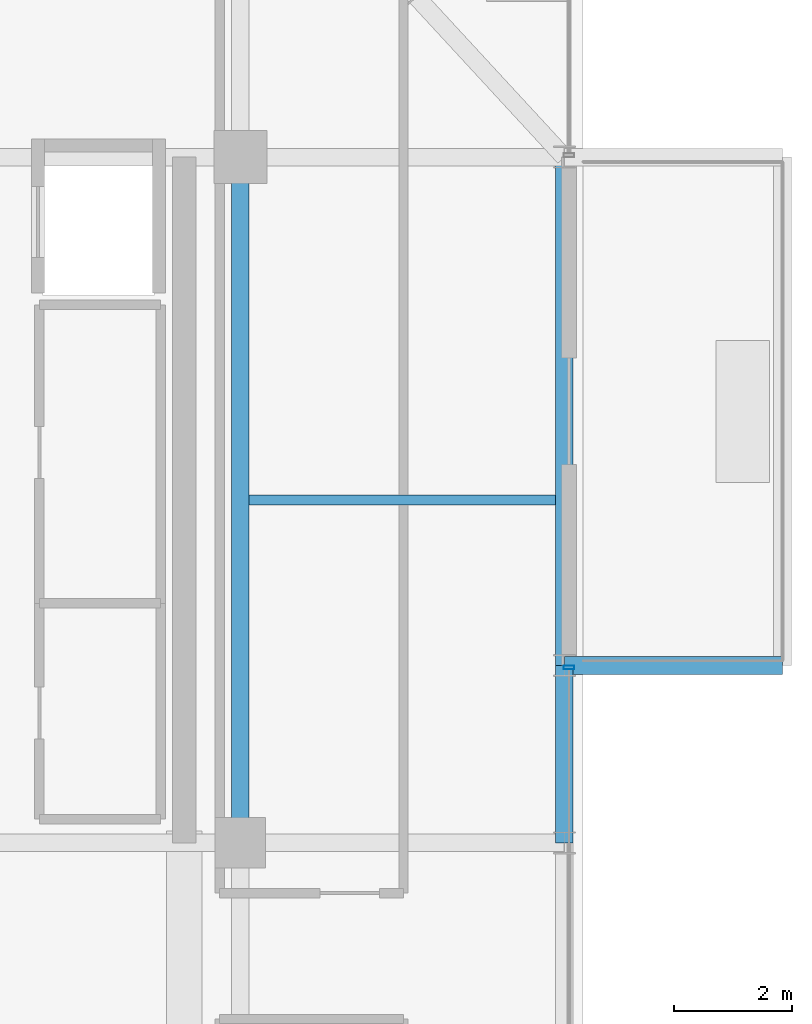
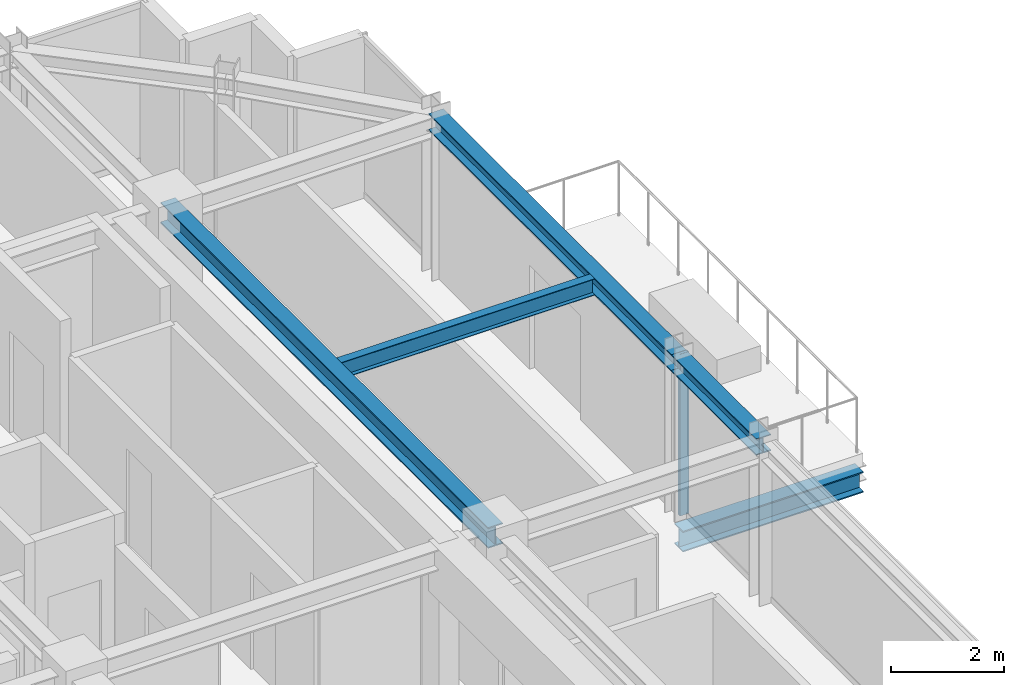
# One storey, part 22 of 33: 5 beams, 1 member, 1 element without a shape of its own.
"""IFC4 building model written with IfcOpenShell, lengths in metres."""

from ifc_helpers import new_model, si_unit, direction, frame, origin, origin_2d, place, context, subcontext, project, spatial, hollow_rectangle, i_section, extrude, source, transform, mapped, material, material_profile, profile_set, type_object, element, aggregate, save


model = new_model("IFC4")

# Units and contexts
model_context = context("Model", 3, precision=1e-05, world=origin(), true_north=direction((0.0, 1.0)))
body_context = subcontext(model_context, "Body", "Model", "MODEL_VIEW")
ifc_project = project(units=[si_unit("LENGTHUNIT", "METRE"), si_unit("AREAUNIT", "SQUARE_METRE"), si_unit("VOLUMEUNIT", "CUBIC_METRE"), si_unit("PLANEANGLEUNIT", "RADIAN"), si_unit("MASSUNIT", "GRAM", prefix="KILO")], contexts=[model_context])

# Site, building, storey
site_placement = place(None, origin())
site = spatial("IfcSite", under=ifc_project, at=site_placement, CompositionType="ELEMENT")
building_placement = place(site_placement, origin())
building = spatial("IfcBuilding", under=site, at=building_placement, Name="Nahalor Promenade Grand Hotel", CompositionType="ELEMENT")
storey_placement = place(building_placement, frame((0.0, 0.0, 315.75)))
storey = spatial("IfcBuildingStorey", under=building, at=storey_placement, Name="L81", CompositionType="ELEMENT", Elevation=315.75)

# Beams
ifc_material_1 = material(Name="Steel S355JR", Category="steel")
ifc_material_profile_1 = material_profile(ifc_material_1, i_section(OverallWidth=0.3, OverallDepth=0.45, WebThickness=0.014, FlangeThickness=0.026, at=origin_2d()), Name="HEB 450")
ifc_profile_set_1 = profile_set([ifc_material_profile_1], Name="Steel S355JR")
beam_type_1 = type_object("IfcBeamType", Name="Beam-Outrigger-HEB450", PredefinedType="BEAM", material=ifc_profile_set_1)
shared_shape_1 = source(origin(), body_context, "Body", "SweptSolid", [
    extrude(i_section(OverallWidth=0.3, OverallDepth=0.45, WebThickness=0.014, FlangeThickness=0.026, at=origin_2d()), origin(), (0.0, 0.0, 1.0), 3.68994140625),
])
beam_1_placement = place(storey_placement, frame((22.47998046875, 8.39990234375, -0.5048828125), z_axis=(1.0, 0.0, 0.0), x_axis=(0.0, 1.0, 0.0)))
element("IfcBeam", 1, at=beam_1_placement, inside=storey, type_object=beam_type_1, Name="BM-L81-BC-02-1", PredefinedType="BEAM", context=body_context, shape_type="MappedRepresentation", body=[
    mapped(shared_shape_1, transform((0.0, 0.0, 0.0), scale=1.0)),
])
ifc_material_profile_2 = material_profile(ifc_material_1, i_section(OverallWidth=0.3, OverallDepth=0.45, WebThickness=0.014, FlangeThickness=0.026, at=origin_2d()), Name="HEB 450")
ifc_profile_set_2 = profile_set([ifc_material_profile_2], Name="Steel S355JR")
beam_type_2 = type_object("IfcBeamType", Name="Beam-Girder-HEB450", PredefinedType="BEAM", material=ifc_profile_set_2)
shared_shape_2 = source(origin(), body_context, "Body", "SweptSolid", [
    extrude(i_section(OverallWidth=0.3, OverallDepth=0.45, WebThickness=0.014, FlangeThickness=0.026, at=origin_2d()), origin(), (0.0, 0.0, 1.0), 11.60009765625),
])
beam_2_placement = place(storey_placement, frame((17.0, 5.39990234375, 3.27490234375), z_axis=(0.0, 1.0, 0.0), x_axis=(-1.0, 0.0, 0.0)))
element("IfcBeam", 2, at=beam_2_placement, inside=storey, type_object=beam_type_2, Name="BM-L81-GY-5-3", PredefinedType="BEAM", context=body_context, shape_type="MappedRepresentation", body=[
    mapped(shared_shape_2, transform((0.0, 0.0, 0.0), scale=1.0)),
])
ifc_material_profile_3 = material_profile(ifc_material_1, i_section(OverallWidth=0.3, OverallDepth=0.36, WebThickness=0.0125, FlangeThickness=0.0225, at=origin_2d()), Name="HEB 360")
ifc_profile_set_3 = profile_set([ifc_material_profile_3], Name="Steel S355JR")
beam_type_3 = type_object("IfcBeamType", Name="Beam-Spandrel-HEB360", PredefinedType="SPANDREL", material=ifc_profile_set_3)
shared_shape_3 = source(origin(), body_context, "Body", "SweptSolid", [
    extrude(i_section(OverallWidth=0.3, OverallDepth=0.36, WebThickness=0.0125, FlangeThickness=0.0225, at=origin_2d()), origin(), (0.0, 0.0, 1.0), 8.60009765625),
])
beam_3_placement = place(storey_placement, frame((22.47998046875, 8.39990234375, 3.320068359375), z_axis=(0.0, 1.0, 0.0), x_axis=(-1.0, 0.0, 0.0)))
element("IfcBeam", 3, at=beam_3_placement, inside=storey, type_object=beam_type_3, Name="BM-L81-SP-E-4", PredefinedType="SPANDREL", context=body_context, shape_type="MappedRepresentation", body=[
    mapped(shared_shape_3, transform((0.0, 0.0, 0.0), scale=1.0)),
])
shared_shape_4 = source(origin(), body_context, "Body", "SweptSolid", [
    extrude(i_section(OverallWidth=0.3, OverallDepth=0.36, WebThickness=0.0125, FlangeThickness=0.0225, at=origin_2d()), origin(), (0.0, 0.0, 1.0), 3.0),
])
beam_4_placement = place(storey_placement, frame((22.47998046875, 5.39990234375, 3.320068359375), z_axis=(0.0, 1.0, 0.0), x_axis=(-1.0, 0.0, 0.0)))
element("IfcBeam", 4, at=beam_4_placement, inside=storey, type_object=beam_type_3, Name="BM-L81-SP-E-3", PredefinedType="SPANDREL", context=body_context, shape_type="MappedRepresentation", body=[
    mapped(shared_shape_4, transform((0.0, 0.0, 0.0), scale=1.0)),
])
ifc_material_profile_4 = material_profile(ifc_material_1, i_section(OverallWidth=0.17, OverallDepth=0.36, WebThickness=0.008, FlangeThickness=0.0127, at=origin_2d()), Name="IPE 360")
ifc_profile_set_4 = profile_set([ifc_material_profile_4], Name="Steel S355JR")
beam_type_4 = type_object("IfcBeamType", Name="Beam-Joist-IPE360", PredefinedType="JOIST", material=ifc_profile_set_4)
shared_shape_5 = source(origin(), body_context, "Body", "SweptSolid", [
    extrude(i_section(OverallWidth=0.17, OverallDepth=0.36, WebThickness=0.008, FlangeThickness=0.0127, at=origin_2d()), origin(), (0.0, 0.0, 1.0), 5.18017578125),
])
beam_5_placement = place(storey_placement, frame((17.14990234375, 11.199951171875, 3.320068359375), z_axis=(1.0, 0.0, 0.0), x_axis=(0.0, 1.0, 0.0)))
element("IfcBeam", 5, at=beam_5_placement, inside=storey, type_object=beam_type_4, Name="BM-L81-JSE-1-2", PredefinedType="JOIST", context=body_context, shape_type="MappedRepresentation", body=[
    mapped(shared_shape_5, transform((0.0, 0.0, 0.0), scale=1.0)),
])

# Curtain wall, member
ifc_material_2 = material(Name="Anodised Bronze Aluminium EN AW-6063 T6", Category="aluminium")
curtain_wall_type = type_object("IfcCurtainWallType", Name="CW2 Typical Hotel Flush Bronze Unitised Curtain Wall", PredefinedType="USERDEFINED", material=ifc_material_2)
curtain_wall_placement = place(storey_placement, origin())
curtain_wall = element("IfcCurtainWall", 6, at=curtain_wall_placement, inside=storey, type_object=curtain_wall_type, Name="L81 Curtain Wall CW-L81-E-1", ObjectType="UNITISED_CURTAIN_WALL", PredefinedType="USERDEFINED")
ifc_material_profile_5 = material_profile(ifc_material_2, hollow_rectangle(XDim=0.065, YDim=0.18, WallThickness=0.004, at=origin_2d()), Name="CWM 65x180x4")
ifc_profile_set_5 = profile_set([ifc_material_profile_5], Name="Anodised Bronze Aluminium EN AW-6063 T6")
member_type = type_object("IfcMemberType", Name="CWM2 Typical Bronze Mullion 65x180", PredefinedType="MULLION", material=ifc_profile_set_5)
shared_shape_6 = source(origin(), body_context, "Body", "SweptSolid", [
    extrude(hollow_rectangle(XDim=0.065, YDim=0.18, WallThickness=0.004, at=origin_2d()), origin(), (0.0, 0.0, 1.0), 3.5),
])
member_placement = place(storey_placement, frame((22.56005859375, 8.367431640625, 0.0), z_axis=(0.0, 0.0, 1.0), x_axis=(0.0, 1.0, 0.0)))
member = element("IfcMember", 7, at=member_placement, type_object=member_type, Name="CW-L81-E-1 Mullion 2", PredefinedType="MULLION", context=body_context, shape_type="MappedRepresentation", body=[
    mapped(shared_shape_6, transform((0.0, 0.0, 0.0), scale=1.0)),
])
aggregate(curtain_wall, [member])

save(model, "model.ifc")
